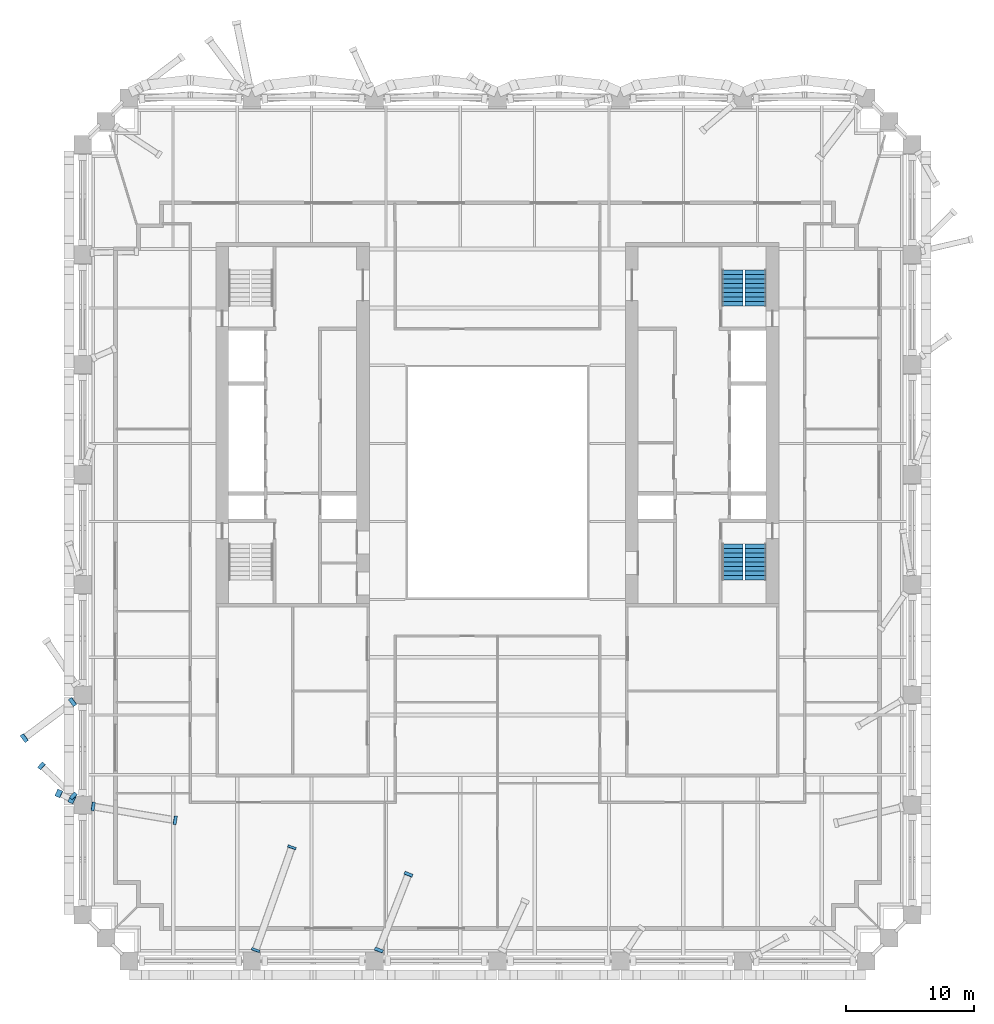
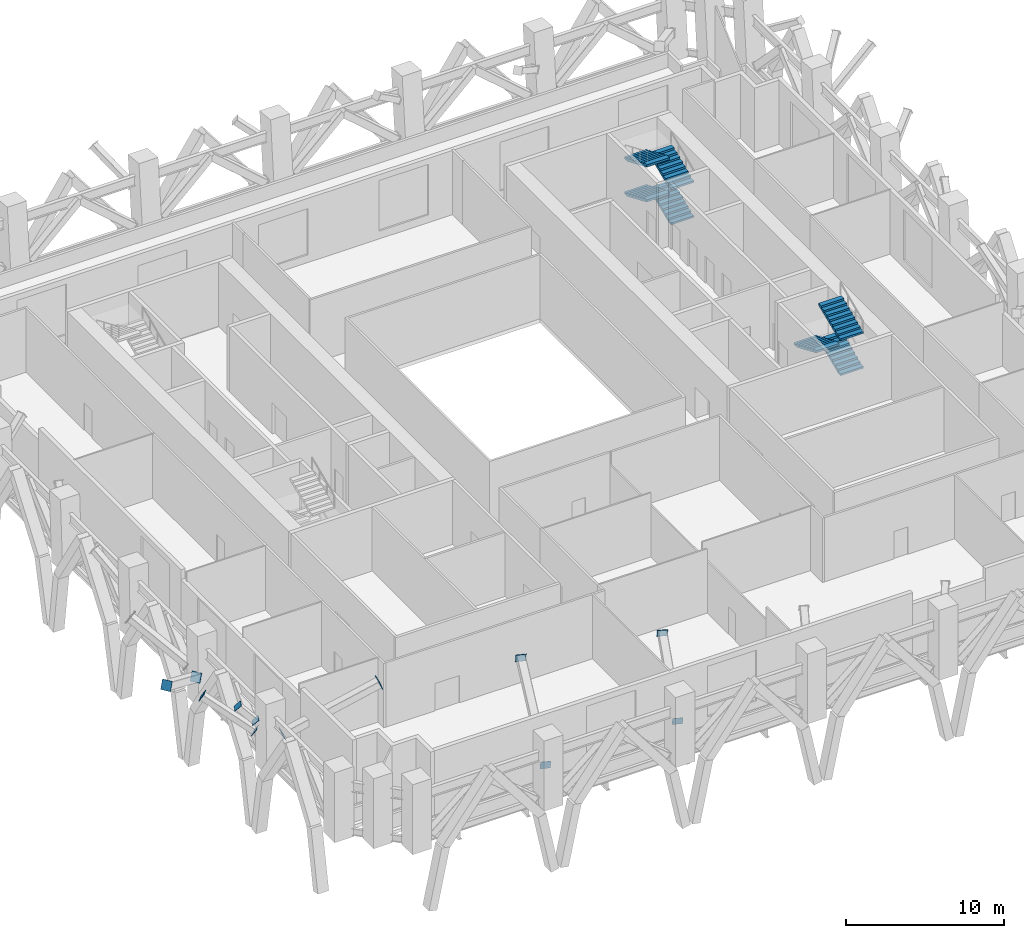
# One storey, part 10 of 19: 12 discrete accessories, 7 stair flights, 2 elements without a shape of their own.
"""IFC4 building model written with IfcOpenShell, lengths in metres."""

from ifc_helpers import new_model, si_unit, direction, frame, origin, origin_2d, place, context, subcontext, project, spatial, polyline, rectangle, outline, extrude, material, material_profile, profile_set, type_object, element, aggregate, save


model = new_model("IFC4")

# Units and contexts
model_context = context("Model", 3, precision=1e-05, world=origin(), true_north=direction((0.0, 1.0)))
body_context = subcontext(model_context, "Body", "Model", "MODEL_VIEW")
ifc_project = project(units=[si_unit("LENGTHUNIT", "METRE"), si_unit("AREAUNIT", "SQUARE_METRE"), si_unit("VOLUMEUNIT", "CUBIC_METRE"), si_unit("PLANEANGLEUNIT", "RADIAN"), si_unit("MASSUNIT", "GRAM", prefix="KILO")], contexts=[model_context])

# Site, building, storey
site_placement = place(None, origin())
site = spatial("IfcSite", under=ifc_project, at=site_placement, CompositionType="ELEMENT")
building_placement = place(site_placement, origin())
building = spatial("IfcBuilding", under=site, at=building_placement, Name="Ogive Exchange Tower", CompositionType="ELEMENT")
storey_placement = place(building_placement, frame((0.0, 0.0, 94.199951171875)))
storey = spatial("IfcBuildingStorey", under=building, at=storey_placement, Name="L20", CompositionType="ELEMENT", Elevation=94.199951171875)

# Stair, stair flights
ifc_material_1 = material(Name="Concrete C40/50", Category="concrete")
stair_type = type_object("IfcStairType", Name="Exit stair 1650 wide", PredefinedType="HALF_TURN_STAIR", material=ifc_material_1)
stair_1_placement = place(storey_placement, origin())
stair_1 = element("IfcStair", 1, at=stair_1_placement, inside=storey, type_object=stair_type, Name="L20 exit stair ST3", PredefinedType="HALF_TURN_STAIR")
stair_flight_type = type_object("IfcStairFlightType", Name="Stair flight 1650 wide", PredefinedType="STRAIGHT", material=ifc_material_1)
stair_flight_1_placement = place(storey_placement, frame((20.175048828125, -0.60791015625, 1.35009765625), z_axis=(0.0, 0.0, 1.0), x_axis=(0.0, 1.0, 0.0)))
stair_flight_1 = element("IfcStairFlight", 2, at=stair_flight_1_placement, type_object=stair_flight_type, Name="ST3 flight 2", NumberOfRisers=9, NumberOfTreads=8, PredefinedType="STRAIGHT", RiserHeight=0.15, TreadLength=0.351, context=body_context, shape_type="SweptSolid", body=[
    extrude(outline(polyline([(0.0, 0.0), (0.0, 0.14990234375), (0.35107421875, 0.14990234375), (0.35107421875, 0.300048828125), (0.701904296875, 0.300048828125), (0.701904296875, 0.449951171875), (1.052978515625, 0.449951171875), (1.052978515625, 0.60009765625), (1.404052734375, 0.60009765625), (1.404052734375, 0.75), (1.7548828125, 0.75), (1.7548828125, 0.89990234375), (2.10595703125, 0.89990234375), (2.10595703125, 1.050048828125), (2.45703125, 1.050048828125), (2.45703125, 1.199951171875), (2.80810546875, 1.199951171875), (2.80810546875, 1.35009765625), (2.80810546875, 1.036865234375), (0.38134765625, 0.0), (0.0, 0.0)])), frame((0.0, 0.824951171875, 0.0), z_axis=(0.0, -1.0, 0.0), x_axis=(1.0, 0.0, 0.0)), (0.0, 0.0, 1.0), 1.64990234375),
])
stair_flight_2_placement = place(storey_placement, frame((18.375, 2.199951171875, 2.699951171875), z_axis=(0.0, 0.0, 1.0), x_axis=(0.0, -1.0, 0.0)))
stair_flight_2 = element("IfcStairFlight", 3, at=stair_flight_2_placement, type_object=stair_flight_type, Name="ST3 flight 3", NumberOfRisers=9, NumberOfTreads=8, PredefinedType="STRAIGHT", RiserHeight=0.15, TreadLength=0.351, context=body_context, shape_type="SweptSolid", body=[
    extrude(outline(polyline([(0.0, 0.0), (0.0, 0.14990234375), (0.35107421875, 0.14990234375), (0.35107421875, 0.300048828125), (0.701904296875, 0.300048828125), (0.701904296875, 0.449951171875), (1.052978515625, 0.449951171875), (1.052978515625, 0.60009765625), (1.404052734375, 0.60009765625), (1.404052734375, 0.75), (1.7548828125, 0.75), (1.7548828125, 0.89990234375), (2.10595703125, 0.89990234375), (2.10595703125, 1.050048828125), (2.45703125, 1.050048828125), (2.45703125, 1.199951171875), (2.80810546875, 1.199951171875), (2.80810546875, 1.35009765625), (2.80810546875, 1.036865234375), (0.38134765625, 0.0), (0.0, 0.0)])), frame((0.0, 0.824951171875, 0.0), z_axis=(0.0, -1.0, 0.0), x_axis=(1.0, 0.0, 0.0)), (0.0, 0.0, 1.0), 1.64990234375),
])
stair_flight_3_placement = place(storey_placement, frame((20.175048828125, -0.60791015625, 4.050048828125), z_axis=(0.0, 0.0, 1.0), x_axis=(0.0, 1.0, 0.0)))
stair_flight_3 = element("IfcStairFlight", 4, at=stair_flight_3_placement, type_object=stair_flight_type, Name="ST3 flight 4", NumberOfRisers=9, NumberOfTreads=8, PredefinedType="STRAIGHT", RiserHeight=0.15, TreadLength=0.351, context=body_context, shape_type="SweptSolid", body=[
    extrude(outline(polyline([(0.0, 0.0), (0.0, 0.14990234375), (0.35107421875, 0.14990234375), (0.35107421875, 0.300048828125), (0.701904296875, 0.300048828125), (0.701904296875, 0.449951171875), (1.052978515625, 0.449951171875), (1.052978515625, 0.60009765625), (1.404052734375, 0.60009765625), (1.404052734375, 0.75), (1.7548828125, 0.75), (1.7548828125, 0.89990234375), (2.10595703125, 0.89990234375), (2.10595703125, 1.050048828125), (2.45703125, 1.050048828125), (2.45703125, 1.199951171875), (2.80810546875, 1.199951171875), (2.80810546875, 1.35009765625), (2.80810546875, 1.036865234375), (0.38134765625, 0.0), (0.0, 0.0)])), frame((0.0, 0.824951171875, 0.0), z_axis=(0.0, -1.0, 0.0), x_axis=(1.0, 0.0, 0.0)), (0.0, 0.0, 1.0), 1.64990234375),
])
aggregate(stair_1, [stair_flight_1, stair_flight_2, stair_flight_3])

stair_2_placement = place(storey_placement, origin())
stair_2 = element("IfcStair", 5, at=stair_2_placement, inside=storey, type_object=stair_type, Name="L20 exit stair ST4", PredefinedType="HALF_TURN_STAIR")
stair_flight_4_placement = place(storey_placement, frame((20.175048828125, 20.800048828125, 0.0), z_axis=(0.0, 0.0, 1.0), x_axis=(0.0, 1.0, 0.0)))
stair_flight_4 = element("IfcStairFlight", 6, at=stair_flight_4_placement, type_object=stair_flight_type, Name="ST4 flight 1", NumberOfRisers=9, NumberOfTreads=8, PredefinedType="STRAIGHT", RiserHeight=0.15, TreadLength=0.351, context=body_context, shape_type="SweptSolid", body=[
    extrude(outline(polyline([(0.0, 0.0), (0.0, 0.14990234375), (0.35107421875, 0.14990234375), (0.35107421875, 0.300048828125), (0.701904296875, 0.300048828125), (0.701904296875, 0.449951171875), (1.052978515625, 0.449951171875), (1.052978515625, 0.60009765625), (1.404052734375, 0.60009765625), (1.404052734375, 0.75), (1.7548828125, 0.75), (1.7548828125, 0.89990234375), (2.10595703125, 0.89990234375), (2.10595703125, 1.050048828125), (2.45703125, 1.050048828125), (2.45703125, 1.199951171875), (2.80810546875, 1.199951171875), (2.80810546875, 1.35009765625), (2.80810546875, 1.036865234375), (0.38134765625, 0.0), (0.0, 0.0)])), frame((0.0, 0.824951171875, 0.0), z_axis=(0.0, -1.0, 0.0), x_axis=(1.0, 0.0, 0.0)), (0.0, 0.0, 1.0), 1.64990234375),
])
stair_flight_5_placement = place(storey_placement, frame((18.375, 23.60791015625, 1.35009765625), z_axis=(0.0, 0.0, 1.0), x_axis=(0.0, -1.0, 0.0)))
stair_flight_5 = element("IfcStairFlight", 7, at=stair_flight_5_placement, type_object=stair_flight_type, Name="ST4 flight 2", NumberOfRisers=9, NumberOfTreads=8, PredefinedType="STRAIGHT", RiserHeight=0.15, TreadLength=0.351, context=body_context, shape_type="SweptSolid", body=[
    extrude(outline(polyline([(0.0, 0.0), (0.0, 0.14990234375), (0.35107421875, 0.14990234375), (0.35107421875, 0.300048828125), (0.701904296875, 0.300048828125), (0.701904296875, 0.449951171875), (1.052978515625, 0.449951171875), (1.052978515625, 0.60009765625), (1.404052734375, 0.60009765625), (1.404052734375, 0.75), (1.7548828125, 0.75), (1.7548828125, 0.89990234375), (2.10595703125, 0.89990234375), (2.10595703125, 1.050048828125), (2.45703125, 1.050048828125), (2.45703125, 1.199951171875), (2.80810546875, 1.199951171875), (2.80810546875, 1.35009765625), (2.80810546875, 1.036865234375), (0.38134765625, 0.0), (0.0, 0.0)])), frame((0.0, 0.824951171875, 0.0), z_axis=(0.0, -1.0, 0.0), x_axis=(1.0, 0.0, 0.0)), (0.0, 0.0, 1.0), 1.64990234375),
])
stair_flight_6_placement = place(storey_placement, frame((20.175048828125, 20.800048828125, 2.699951171875), z_axis=(0.0, 0.0, 1.0), x_axis=(0.0, 1.0, 0.0)))
stair_flight_6 = element("IfcStairFlight", 8, at=stair_flight_6_placement, type_object=stair_flight_type, Name="ST4 flight 3", NumberOfRisers=9, NumberOfTreads=8, PredefinedType="STRAIGHT", RiserHeight=0.15, TreadLength=0.351, context=body_context, shape_type="SweptSolid", body=[
    extrude(outline(polyline([(0.0, 0.0), (0.0, 0.14990234375), (0.35107421875, 0.14990234375), (0.35107421875, 0.300048828125), (0.701904296875, 0.300048828125), (0.701904296875, 0.449951171875), (1.052978515625, 0.449951171875), (1.052978515625, 0.60009765625), (1.404052734375, 0.60009765625), (1.404052734375, 0.75), (1.7548828125, 0.75), (1.7548828125, 0.89990234375), (2.10595703125, 0.89990234375), (2.10595703125, 1.050048828125), (2.45703125, 1.050048828125), (2.45703125, 1.199951171875), (2.80810546875, 1.199951171875), (2.80810546875, 1.35009765625), (2.80810546875, 1.036865234375), (0.38134765625, 0.0), (0.0, 0.0)])), frame((0.0, 0.824951171875, 0.0), z_axis=(0.0, -1.0, 0.0), x_axis=(1.0, 0.0, 0.0)), (0.0, 0.0, 1.0), 1.64990234375),
])
stair_flight_7_placement = place(storey_placement, frame((18.375, 23.60791015625, 4.050048828125), z_axis=(0.0, 0.0, 1.0), x_axis=(0.0, -1.0, 0.0)))
stair_flight_7 = element("IfcStairFlight", 9, at=stair_flight_7_placement, type_object=stair_flight_type, Name="ST4 flight 4", NumberOfRisers=9, NumberOfTreads=8, PredefinedType="STRAIGHT", RiserHeight=0.15, TreadLength=0.351, context=body_context, shape_type="SweptSolid", body=[
    extrude(outline(polyline([(0.0, 0.0), (0.0, 0.14990234375), (0.35107421875, 0.14990234375), (0.35107421875, 0.300048828125), (0.701904296875, 0.300048828125), (0.701904296875, 0.449951171875), (1.052978515625, 0.449951171875), (1.052978515625, 0.60009765625), (1.404052734375, 0.60009765625), (1.404052734375, 0.75), (1.7548828125, 0.75), (1.7548828125, 0.89990234375), (2.10595703125, 0.89990234375), (2.10595703125, 1.050048828125), (2.45703125, 1.050048828125), (2.45703125, 1.199951171875), (2.80810546875, 1.199951171875), (2.80810546875, 1.35009765625), (2.80810546875, 1.036865234375), (0.38134765625, 0.0), (0.0, 0.0)])), frame((0.0, 0.824951171875, 0.0), z_axis=(0.0, -1.0, 0.0), x_axis=(1.0, 0.0, 0.0)), (0.0, 0.0, 1.0), 1.64990234375),
])
aggregate(stair_2, [stair_flight_4, stair_flight_5, stair_flight_6, stair_flight_7])

# Discrete accessories
ifc_material_2 = material(Name="Steel ASTM A572 Gr50", Category="steel")
ifc_material_profile_1 = material_profile(ifc_material_2, rectangle(XDim=0.576904296875, YDim=0.576904296875, at=origin_2d()), Name="PL 577 x 577 x 25")
ifc_profile_set_1 = profile_set([ifc_material_profile_1], Name="Steel ASTM A572 Gr50")
discrete_accessory_type_1 = type_object("IfcDiscreteAccessoryType", Name="Gusset plate 577 x 577 x 25", PredefinedType="USERDEFINED", material=ifc_profile_set_1)
for number, where, z_axis, x_axis, name in (
    (10, (-33.243408203125, -17.77734375, 3.59228515625), (-0.625410483995, 0.293161164373, 0.72313087212), (-0.424433876231, -0.905458935959, 0.0), "Block-change strut 1 end plate A"),
    (11, (-34.266357421875, -17.305419921875, 4.774169921875), (-0.625410483995, 0.293161164373, 0.72313087212), (-0.424433876231, -0.905458935959, 0.0), "Block-change strut 1 end plate B"),
):
    element("IfcDiscreteAccessory", number, at=place(storey_placement, frame(where, z_axis=z_axis, x_axis=x_axis)), inside=storey, type_object=discrete_accessory_type_1, Name=name, ObjectType="GUSSET PLATE", PredefinedType="USERDEFINED", context=body_context, shape_type="SweptSolid", body=[
        extrude(rectangle(XDim=0.576904296875, YDim=0.576904296875, at=origin_2d()), origin(), (0.0, 0.0, 1.0), 0.02490234375),
    ])
discrete_accessory_1_placement = place(storey_placement, frame((-33.12060546875, -17.5009765625, 2.618896484375), z_axis=(-0.62127138833, 0.582441926559, 0.524197733903), x_axis=(-0.683941128881, -0.72953720414, 0.0)))
element("IfcDiscreteAccessory", 12, at=discrete_accessory_1_placement, inside=storey, type_object=discrete_accessory_type_1, Name="Block-change strut 34 end plate A", ObjectType="GUSSET PLATE", PredefinedType="USERDEFINED", context=body_context, shape_type="SweptSolid", body=[
    extrude(rectangle(XDim=0.576904296875, YDim=0.576904296875, at=origin_2d()), origin(), (0.0, 0.0, 1.0), 0.025146484375),
])
discrete_accessory_2_placement = place(storey_placement, frame((-35.615478515625, -15.15380859375, 4.74267578125), z_axis=(-0.624784342856, 0.575973066071, 0.527161789285), x_axis=(-0.677802814739, -0.735243731243, 0.0)))
element("IfcDiscreteAccessory", 13, at=discrete_accessory_2_placement, inside=storey, type_object=discrete_accessory_type_1, Name="Block-change strut 34 end plate B", ObjectType="GUSSET PLATE", PredefinedType="USERDEFINED", context=body_context, shape_type="SweptSolid", body=[
    extrude(rectangle(XDim=0.576904296875, YDim=0.576904296875, at=origin_2d()), origin(), (0.0, 0.0, 1.0), 0.02490234375),
])
ifc_material_profile_2 = material_profile(ifc_material_2, rectangle(XDim=0.678955078125, YDim=0.678955078125, at=origin_2d()), Name="PL 679 x 679 x 25")
ifc_profile_set_2 = profile_set([ifc_material_profile_2], Name="Steel ASTM A572 Gr50")
discrete_accessory_type_2 = type_object("IfcDiscreteAccessoryType", Name="Gusset plate 679 x 679 x 25", PredefinedType="USERDEFINED", material=ifc_profile_set_2)
for number, where, z_axis, x_axis, name in (
    (14, (-31.6044921875, -18.3173828125, 2.287841796875), (0.92544611867, -0.157522743603, 0.344581001632), (0.167799348048, 0.985821169784, 0.0), "Block-change strut 2 end plate A"),
    (15, (-25.19482421875, -19.397705078125, 4.67919921875), (0.926840295607, -0.156099418208, 0.341467477329), (0.166082011564, 0.986111943663, 0.0), "Block-change strut 2 end plate B"),
):
    element("IfcDiscreteAccessory", number, at=place(storey_placement, frame(where, z_axis=z_axis, x_axis=x_axis)), inside=storey, type_object=discrete_accessory_type_2, Name=name, ObjectType="GUSSET PLATE", PredefinedType="USERDEFINED", context=body_context, shape_type="SweptSolid", body=[
        extrude(rectangle(XDim=0.678955078125, YDim=0.678955078125, at=origin_2d()), origin(), (0.0, 0.0, 1.0), 0.02490234375),
    ])
discrete_accessory_3_placement = place(storey_placement, frame((-18.90283203125, -29.557861328125, 2.281005859375), z_axis=(0.321710170725, 0.906637753861, 0.272966205464), x_axis=(-0.942427745481, 0.334409845171, 0.0)))
element("IfcDiscreteAccessory", 16, at=discrete_accessory_3_placement, inside=storey, type_object=discrete_accessory_type_2, Name="Block-change strut 3 end plate A", ObjectType="GUSSET PLATE", PredefinedType="USERDEFINED", context=body_context, shape_type="SweptSolid", body=[
    extrude(rectangle(XDim=0.678955078125, YDim=0.678955078125, at=origin_2d()), origin(), (0.0, 0.0, 1.0), 0.025146484375),
])
for number, where, z_axis, x_axis, name in (
    (17, (-16.0693359375, -21.52734375, 4.67431640625), (0.322554293989, 0.909016646697, 0.263908058719), (-0.942427745481, 0.334409845171, 0.0), "Block-change strut 3 end plate B"),
    (18, (-9.2705078125, -29.555419921875, 2.288330078125), (0.332662545437, 0.870793133643, 0.362015122975), (-0.93415477683, 0.356868116991, 0.0), "Block-change strut 4 end plate A"),
):
    element("IfcDiscreteAccessory", number, at=place(storey_placement, frame(where, z_axis=z_axis, x_axis=x_axis)), inside=storey, type_object=discrete_accessory_type_2, Name=name, ObjectType="GUSSET PLATE", PredefinedType="USERDEFINED", context=body_context, shape_type="SweptSolid", body=[
        extrude(rectangle(XDim=0.678955078125, YDim=0.678955078125, at=origin_2d()), origin(), (0.0, 0.0, 1.0), 0.02490234375),
    ])
discrete_accessory_4_placement = place(storey_placement, frame((-6.95947265625, -23.6298828125, 4.6796875), z_axis=(0.339613808374, 0.873292650104, 0.349317060042), x_axis=(-0.932004671541, 0.362446261155, 0.0)))
element("IfcDiscreteAccessory", 19, at=discrete_accessory_4_placement, inside=storey, type_object=discrete_accessory_type_2, Name="Block-change strut 4 end plate B", ObjectType="GUSSET PLATE", PredefinedType="USERDEFINED", context=body_context, shape_type="SweptSolid", body=[
    extrude(rectangle(XDim=0.678955078125, YDim=0.678955078125, at=origin_2d()), origin(), (0.0, 0.0, 1.0), 0.025146484375),
])
for number, where, z_axis, x_axis, name in (
    (20, (-33.185302734375, -10.151611328125, 2.30078125), (-0.713426963658, -0.537513465769, 0.449556716825), (0.601749106416, -0.798685177606, 0.0), "Block-change strut 30 end plate A"),
    (21, (-36.962158203125, -12.96728515625, 4.689453125), (-0.713426963658, -0.537513465769, 0.449556716825), (0.601749106416, -0.798685177606, 0.0), "Block-change strut 30 end plate B"),
):
    element("IfcDiscreteAccessory", number, at=place(storey_placement, frame(where, z_axis=z_axis, x_axis=x_axis)), inside=storey, type_object=discrete_accessory_type_2, Name=name, ObjectType="GUSSET PLATE", PredefinedType="USERDEFINED", context=body_context, shape_type="SweptSolid", body=[
        extrude(rectangle(XDim=0.678955078125, YDim=0.678955078125, at=origin_2d()), origin(), (0.0, 0.0, 1.0), 0.02490234375),
    ])

save(model, "model.ifc")
